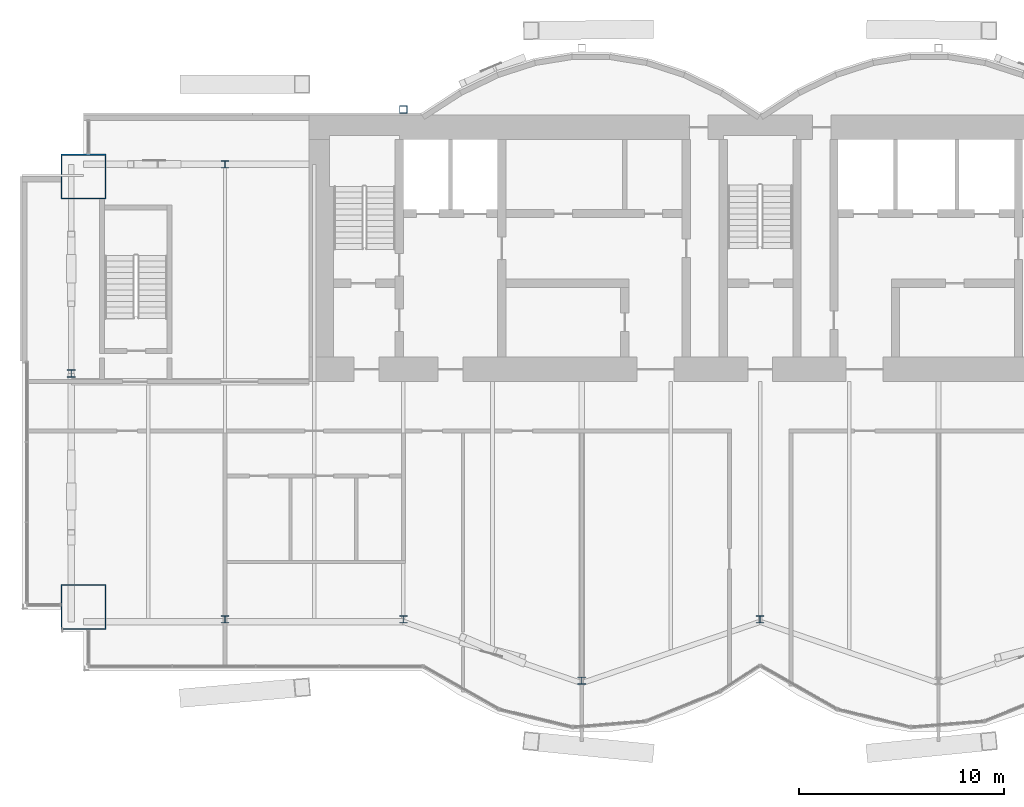
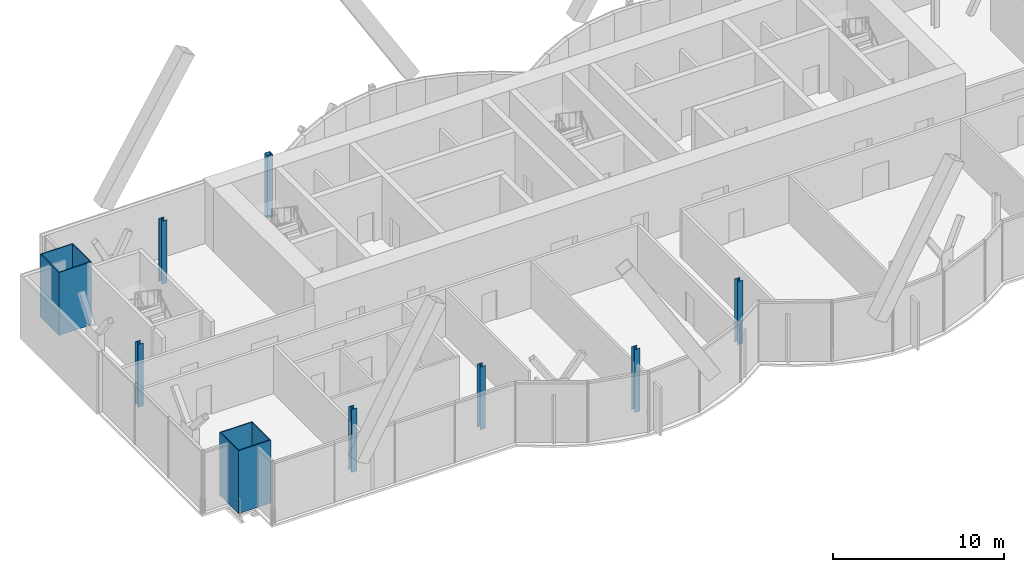
# One storey, part 1 of 19: 9 columns.
"""IFC4 building model written with IfcOpenShell, lengths in metres."""

from ifc_helpers import new_model, si_unit, direction, frame, origin, origin_2d, place, context, subcontext, project, spatial, hollow_rectangle, i_section, extrude, material, material_profile, profile_set, type_object, element, save


model = new_model("IFC4")

# Units and contexts
model_context = context("Model", 3, precision=1e-05, world=origin(), true_north=direction((0.0, 1.0)))
body_context = subcontext(model_context, "Body", "Model", "MODEL_VIEW")
ifc_project = project(units=[si_unit("LENGTHUNIT", "METRE"), si_unit("AREAUNIT", "SQUARE_METRE"), si_unit("VOLUMEUNIT", "CUBIC_METRE"), si_unit("PLANEANGLEUNIT", "RADIAN"), si_unit("MASSUNIT", "GRAM", prefix="KILO")], contexts=[model_context])

# Site, building, storey
site_placement = place(None, origin())
site = spatial("IfcSite", under=ifc_project, at=site_placement, CompositionType="ELEMENT")
building_placement = place(site_placement, origin())
building = spatial("IfcBuilding", under=site, at=building_placement, Name="Bicima Exchange Tower", CompositionType="ELEMENT")
storey_placement = place(building_placement, frame((0.0, 0.0, 297.5)))
storey = spatial("IfcBuildingStorey", under=building, at=storey_placement, Name="L67", CompositionType="ELEMENT", Elevation=297.5)

# Columns
ifc_material_1 = material(Name="Steel ASTM A572 Gr 50", Category="steel")
ifc_material_profile_1 = material_profile(ifc_material_1, hollow_rectangle(XDim=2.199951171875, YDim=2.199951171875, WallThickness=0.06005859375, at=origin_2d()))
ifc_profile_set_1 = profile_set([ifc_material_profile_1], Name="Steel ASTM A572 Gr 50")
column_type_1 = type_object("IfcColumnType", Name="Mega column BOX 2200x2200x60", PredefinedType="COLUMN", material=ifc_profile_set_1)
for number, where, z_axis, x_axis, name in (
    (1, (-33.0, -23.993896484375, 0.0), (0.0, 0.0, 1.0), (1.0, 0.0, 0.0), "Mega column mega-33.0f"),
    (2, (-33.0, -3.0, 0.0), (0.0, 0.0, 1.0), (1.0, 0.0, 0.0), "Mega column mega-33.0r"),
):
    element("IfcColumn", number, at=place(storey_placement, frame(where, z_axis=z_axis, x_axis=x_axis)), inside=storey, type_object=column_type_1, Name=name, PredefinedType="COLUMN", context=body_context, shape_type="SweptSolid", body=[
        extrude(hollow_rectangle(XDim=2.199951171875, YDim=2.199951171875, WallThickness=0.06005859375, at=origin_2d()), origin(), (0.0, 0.0, 1.0), 4.5),
    ])
ifc_material_2 = material(Name="Steel ASTM A992 Gr 50", Category="steel")
ifc_material_profile_2 = material_profile(ifc_material_2, i_section(OverallWidth=0.368408203125, OverallDepth=0.355712890625, WebThickness=0.01123046875, FlangeThickness=0.01806640625, at=origin_2d()))
ifc_profile_set_2 = profile_set([ifc_material_profile_2], Name="Steel ASTM A992 Gr 50")
column_type_2 = type_object("IfcColumnType", Name="Perimeter column W14x90", PredefinedType="COLUMN", material=ifc_profile_set_2)
for number, where, z_axis, x_axis, name in (
    (3, (-26.10009765625, -24.593994140625, 0.0), (0.0, 0.0, 1.0), (1.0, 0.0, 0.0), "Perimeter column grav-26.1f"),
    (4, (-26.10009765625, -2.39990234375, 0.0), (0.0, 0.0, 1.0), (1.0, 0.0, 0.0), "Perimeter column grav-26.1r"),
    (5, (-17.39990234375, -24.593994140625, 0.0), (0.0, 0.0, 1.0), (1.0, 0.0, 0.0), "Perimeter column grav-17.4f"),
    (6, (-8.699951171875, -27.585205078125, 0.0), (0.0, 0.0, 1.0), (1.0, 0.0, 0.0), "Perimeter column grav-8.7f"),
    (7, (0.0, -24.593994140625, 0.0), (0.0, 0.0, 1.0), (1.0, 0.0, 0.0), "Perimeter column grav-0.0f"),
    (8, (-33.60009765625, -12.60009765625, 0.0), (0.0, 0.0, 1.0), (1.0, 0.0, 0.0), "End column end-33.6e"),
):
    element("IfcColumn", number, at=place(storey_placement, frame(where, z_axis=z_axis, x_axis=x_axis)), inside=storey, type_object=column_type_2, Name=name, PredefinedType="COLUMN", context=body_context, shape_type="SweptSolid", body=[
        extrude(i_section(OverallWidth=0.368408203125, OverallDepth=0.355712890625, WebThickness=0.01123046875, FlangeThickness=0.01806640625, at=origin_2d()), origin(), (0.0, 0.0, 1.0), 4.5),
    ])
ifc_material_profile_3 = material_profile(ifc_material_1, hollow_rectangle(XDim=0.355712890625, YDim=0.355712890625, WallThickness=0.01171875, at=origin_2d()))
ifc_profile_set_3 = profile_set([ifc_material_profile_3], Name="Steel ASTM A572 Gr 50")
column_type_3 = type_object("IfcColumnType", Name="Rear pilaster HSS14x14x1/2", PredefinedType="COLUMN", material=ifc_profile_set_3)
column_placement = place(storey_placement, frame((-17.39990234375, 0.278076171875, 0.0), z_axis=(0.0, 0.0, 1.0), x_axis=(1.0, 0.0, 0.0)))
element("IfcColumn", 9, at=column_placement, inside=storey, type_object=column_type_3, Name="Rear pilaster rexo-17.4r", PredefinedType="COLUMN", context=body_context, shape_type="SweptSolid", body=[
    extrude(hollow_rectangle(XDim=0.355712890625, YDim=0.355712890625, WallThickness=0.01171875, at=origin_2d()), origin(), (0.0, 0.0, 1.0), 4.5),
])

save(model, "model.ifc")
